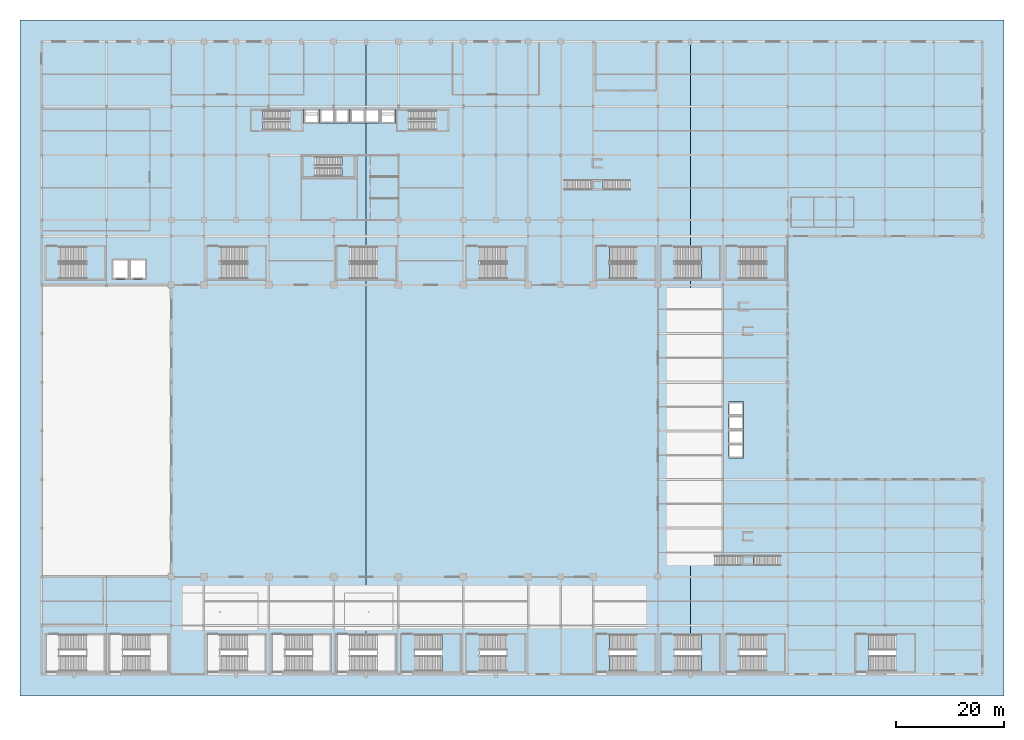
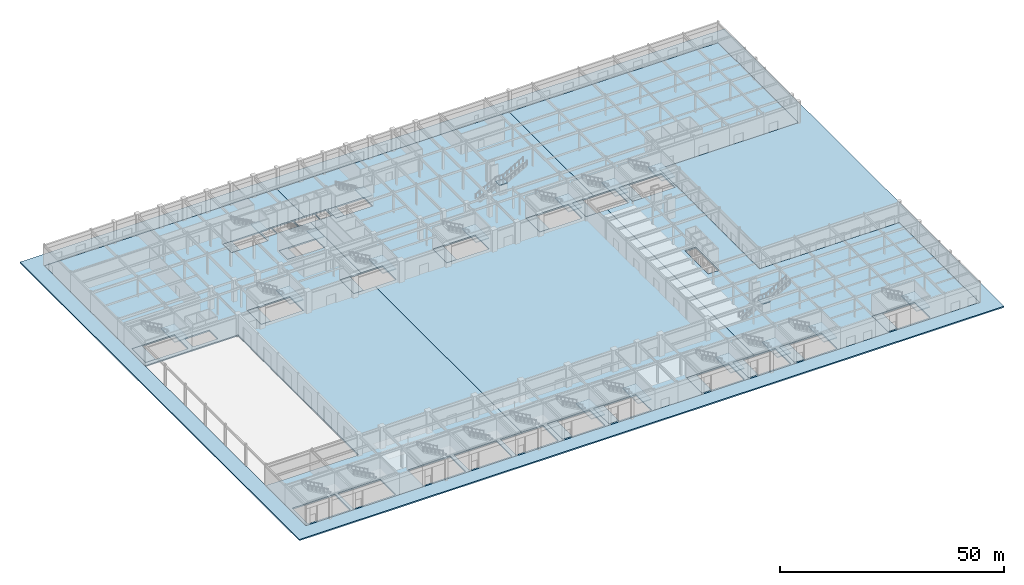
# One storey, part 19 of 44: 38 slabs, 18 elements without a shape of their own.
"""IFC4 building model written with IfcOpenShell, lengths in metres."""

from ifc_helpers import new_model, si_unit, direction, frame, origin, place, context, subcontext, project, spatial, polyline, outline, extrude, material, layer, layer_set, type_object, element, aggregate, save


model = new_model("IFC4")

# Units and contexts
model_context = context("Model", 3, precision=1e-05, world=origin(), true_north=direction((0.0, 1.0)))
body_context = subcontext(model_context, "Body", "Model", "MODEL_VIEW")
ifc_project = project(units=[si_unit("LENGTHUNIT", "METRE"), si_unit("AREAUNIT", "SQUARE_METRE"), si_unit("VOLUMEUNIT", "CUBIC_METRE"), si_unit("PLANEANGLEUNIT", "RADIAN"), si_unit("MASSUNIT", "GRAM", prefix="KILO")], contexts=[model_context])

# Site, building, storey
site_placement = place(None, origin())
site = spatial("IfcSite", under=ifc_project, at=site_placement, CompositionType="ELEMENT")
building_placement = place(site_placement, origin())
building = spatial("IfcBuilding", under=site, at=building_placement, Name="Kaldorvane Square Convention Centre", CompositionType="ELEMENT")
storey_placement = place(building_placement, origin())
storey = spatial("IfcBuildingStorey", under=building, at=storey_placement, Name="L00", CompositionType="ELEMENT", Elevation=0.0)

# Slabs
ifc_material_1 = material(Name="Concrete f'c = 42 MPa (Normalweight)", Category="concrete")
ifc_layer_1 = layer(ifc_material_1, 0.4199981689453125)
ifc_layer_set_1 = layer_set([ifc_layer_1], Name="Concrete f'c = 42 MPa (Normalweight)")
slab_type_1 = type_object("IfcSlabType", Name="SL-APRON-420", PredefinedType="BASESLAB", material=ifc_layer_set_1)
slab_1_placement = place(storey_placement, frame((0.0, 0.0, -0.350006103515625)))
element("IfcSlab", 1, at=slab_1_placement, inside=storey, type_object=slab_type_1, Name="Kaldorvane Square Civic Plaza Threshold Apron", PredefinedType="BASESLAB", context=body_context, shape_type="SweptSolid", body=[
    extrude(outline(polyline([(178.0, -4.0), (174.0, -4.0), (0.0, -4.0), (-4.0, -4.0), (-4.0, 0.0), (-4.0, 117.0), (-4.0, 121.0), (0.0, 121.0), (174.0, 121.0), (178.0, 121.0), (178.0, 117.0), (178.0, 0.0), (178.0, -4.0)]), holes=[polyline([(0.0, 0.0), (174.0, 0.0), (174.0, 36.0), (138.0, 36.0), (138.0, 81.0), (174.0, 81.0), (174.0, 117.0), (0.0, 117.0), (0.0, 0.0)])]), origin(), (0.0, 0.0, 1.0), 0.350006103515625),
])
ifc_layer_2 = layer(ifc_material_1, 0.3800048828125)
ifc_layer_set_2 = layer_set([ifc_layer_2], Name="Concrete f'c = 42 MPa (Normalweight)")
slab_type_2 = type_object("IfcSlabType", Name="SL-EXH-380", PredefinedType="FLOOR", material=ifc_layer_set_2)
slab_2_placement = place(storey_placement, frame((0.0, 0.0, -0.3800048828125)))
element("IfcSlab", 2, at=slab_2_placement, inside=storey, type_object=slab_type_2, Name="Podium Composite Floor Slab L00-1", PredefinedType="FLOOR", context=body_context, shape_type="SweptSolid", body=[
    extrude(outline(polyline([(24.0, 18.0), (24.0, 72.0), (0.0, 72.0), (0.0, 117.0), (60.0, 117.0), (60.0, 104.55000305175781), (59.80000305175781, 104.55000305175781), (57.100006103515625, 104.55000305175781), (57.100006103515625, 101.94999694824219), (59.80000305175781, 101.94999694824219), (60.0, 101.94999694824219), (60.0, 79.17999267578125), (54.52000427246094, 79.17999267578125), (54.52000427246094, 72.97999572753906), (60.0, 72.97999572753906), (60.0, 7.3800048828125), (54.52000427246094, 7.3800048828125), (54.52000427246094, 0.42999267578125), (60.0, 0.42999267578125), (60.0, 0.0), (0.0, 0.0), (0.0, 18.0), (24.0, 18.0)]), holes=[polyline([(11.699996948242188, 0.42999267578125), (11.699996948242188, 7.3800048828125), (0.7400054931640625, 7.3800048828125), (0.7400054931640625, 0.42999267578125), (11.699996948242188, 0.42999267578125)]), polyline([(23.479995727539062, 0.42999267578125), (23.479995727539062, 7.3800048828125), (12.520004272460938, 7.3800048828125), (12.520004272460938, 0.42999267578125), (23.479995727539062, 0.42999267578125)]), polyline([(41.47999572753906, 0.42999267578125), (41.47999572753906, 7.3800048828125), (30.520004272460938, 7.3800048828125), (30.520004272460938, 0.42999267578125), (41.47999572753906, 0.42999267578125)]), polyline([(53.47999572753906, 0.42999267578125), (53.47999572753906, 7.3800048828125), (42.52000427246094, 7.3800048828125), (42.52000427246094, 0.42999267578125), (53.47999572753906, 0.42999267578125)]), polyline([(19.399993896484375, 76.80000305175781), (16.199996948242188, 76.80000305175781), (13.0, 76.80000305175781), (13.0, 73.0), (16.199996948242188, 73.0), (19.399993896484375, 73.0), (19.399993896484375, 76.80000305175781)]), polyline([(11.699996948242188, 72.97999572753906), (11.699996948242188, 79.17999267578125), (0.7400054931640625, 79.17999267578125), (0.7400054931640625, 72.97999572753906), (11.699996948242188, 72.97999572753906)]), polyline([(41.47999572753906, 72.97999572753906), (41.47999572753906, 79.17999267578125), (30.520004272460938, 79.17999267578125), (30.520004272460938, 72.97999572753906), (41.47999572753906, 72.97999572753906)]), polyline([(57.82000732421875, 91.94000244140625), (57.82000732421875, 95.82000732421875), (48.3800048828125, 95.82000732421875), (48.3800048828125, 91.94000244140625), (57.82000732421875, 91.94000244140625)]), polyline([(48.220001220703125, 100.49000549316406), (48.220001220703125, 104.3699951171875), (38.779998779296875, 104.3699951171875), (38.779998779296875, 100.49000549316406), (48.220001220703125, 100.49000549316406)]), polyline([(51.350006103515625, 101.85000610351562), (51.350006103515625, 104.55000305175781), (48.55000305175781, 104.55000305175781), (48.55000305175781, 101.85000610351562), (51.350006103515625, 101.85000610351562)]), polyline([(56.899993896484375, 104.55000305175781), (54.19999694824219, 104.55000305175781), (51.5, 104.55000305175781), (51.5, 101.94999694824219), (54.19999694824219, 101.94999694824219), (56.899993896484375, 101.94999694824219), (56.899993896484375, 104.55000305175781)])]), origin(), (0.0, 0.0, 1.0), 0.3800048828125),
])
slab_3_placement = place(storey_placement, frame((0.0, 0.0, -0.3800048828125)))
element("IfcSlab", 3, at=slab_3_placement, inside=storey, type_object=slab_type_2, Name="Podium Composite Floor Slab L00-2", PredefinedType="FLOOR", context=body_context, shape_type="SweptSolid", body=[
    extrude(outline(polyline([(120.0, 117.0), (120.0, 79.17999267578125), (114.52000427246094, 79.17999267578125), (114.52000427246094, 72.97999572753906), (120.0, 72.97999572753906), (120.0, 7.3800048828125), (114.52000427246094, 7.3800048828125), (114.52000427246094, 0.42999267578125), (120.0, 0.42999267578125), (120.0, 0.0), (60.0, 0.0), (60.0, 0.42999267578125), (65.47999572753906, 0.42999267578125), (65.47999572753906, 7.3800048828125), (60.0, 7.3800048828125), (60.0, 72.97999572753906), (65.47999572753906, 72.97999572753906), (65.47999572753906, 79.17999267578125), (60.0, 79.17999267578125), (60.0, 101.94999694824219), (62.5, 101.94999694824219), (62.5, 104.55000305175781), (60.0, 104.55000305175781), (60.0, 117.0), (120.0, 117.0)]), holes=[polyline([(77.47999572753906, 0.42999267578125), (77.47999572753906, 7.3800048828125), (66.52000427246094, 7.3800048828125), (66.52000427246094, 0.42999267578125), (77.47999572753906, 0.42999267578125)]), polyline([(89.47999572753906, 0.42999267578125), (89.47999572753906, 7.3800048828125), (78.52000427246094, 7.3800048828125), (78.52000427246094, 0.42999267578125), (89.47999572753906, 0.42999267578125)]), polyline([(113.47999572753906, 0.42999267578125), (113.47999572753906, 7.3800048828125), (102.52000427246094, 7.3800048828125), (102.52000427246094, 0.42999267578125), (113.47999572753906, 0.42999267578125)]), polyline([(89.47999572753906, 72.97999572753906), (89.47999572753906, 79.17999267578125), (78.52000427246094, 79.17999267578125), (78.52000427246094, 72.97999572753906), (89.47999572753906, 72.97999572753906)]), polyline([(113.47999572753906, 72.97999572753906), (113.47999572753906, 79.17999267578125), (102.52000427246094, 79.17999267578125), (102.52000427246094, 72.97999572753906), (113.47999572753906, 72.97999572753906)]), polyline([(65.77999877929688, 100.49000549316406), (75.22000122070312, 100.49000549316406), (75.22000122070312, 104.3699951171875), (65.77999877929688, 104.3699951171875), (65.77999877929688, 100.49000549316406)]), polyline([(62.649993896484375, 101.85000610351562), (65.44999694824219, 101.85000610351562), (65.44999694824219, 104.55000305175781), (62.649993896484375, 104.55000305175781), (62.649993896484375, 101.85000610351562)])]), origin(), (0.0, 0.0, 1.0), 0.3800048828125),
])
slab_4_placement = place(storey_placement, frame((0.0, 0.0, -0.3800048828125)))
element("IfcSlab", 4, at=slab_4_placement, inside=storey, type_object=slab_type_2, Name="Podium Composite Floor Slab L00-3", PredefinedType="FLOOR", context=body_context, shape_type="SweptSolid", body=[
    extrude(outline(polyline([(174.0, 117.0), (174.0, 81.0), (138.0, 81.0), (138.0, 36.0), (174.0, 36.0), (174.0, 0.0), (120.0, 0.0), (120.0, 0.42999267578125), (125.47999572753906, 0.42999267578125), (125.47999572753906, 7.3800048828125), (120.0, 7.3800048828125), (120.0, 72.97999572753906), (125.47999572753906, 72.97999572753906), (125.47999572753906, 79.17999267578125), (120.0, 79.17999267578125), (120.0, 117.0), (174.0, 117.0)]), holes=[polyline([(137.47999572753906, 0.42999267578125), (137.47999572753906, 7.3800048828125), (126.52000427246094, 7.3800048828125), (126.52000427246094, 0.42999267578125), (137.47999572753906, 0.42999267578125)]), polyline([(161.47999572753906, 0.42999267578125), (161.47999572753906, 7.3800048828125), (150.52000427246094, 7.3800048828125), (150.52000427246094, 0.42999267578125), (161.47999572753906, 0.42999267578125)]), polyline([(129.8000030517578, 40.0), (129.8000030517578, 42.600006103515625), (129.8000030517578, 45.19999694824219), (129.8000030517578, 47.80000305175781), (129.8000030517578, 50.399993896484375), (127.0, 50.399993896484375), (127.0, 47.80000305175781), (127.0, 45.19999694824219), (127.0, 42.600006103515625), (127.0, 40.0), (129.8000030517578, 40.0)]), polyline([(137.47999572753906, 72.97999572753906), (137.47999572753906, 79.17999267578125), (126.52000427246094, 79.17999267578125), (126.52000427246094, 72.97999572753906), (137.47999572753906, 72.97999572753906)])]), origin(), (0.0, 0.0, 1.0), 0.3800048828125),
])
ifc_layer_3 = layer(ifc_material_1, 0.279998779296875)
ifc_layer_set_3 = layer_set([ifc_layer_3], Name="Concrete f'c = 42 MPa (Normalweight)")
slab_type_3 = type_object("IfcSlabType", Name="SL-FLND-280", PredefinedType="FLOOR", material=ifc_layer_set_3)
slab_5_placement = place(storey_placement, frame((0.0, 0.0, -0.279998779296875)))
element("IfcSlab", 5, at=slab_5_placement, inside=storey, type_object=slab_type_3, Name="Tower Exit Stair T1 Floor Landing (L00)", PredefinedType="FLOOR", context=body_context, shape_type="SweptSolid", body=[
    extrude(outline(polyline([(38.779998779296875, 100.49000549316406), (40.97999572753906, 100.49000549316406), (40.97999572753906, 104.3699951171875), (38.779998779296875, 104.3699951171875), (38.779998779296875, 100.49000549316406)])), origin(), (0.0, 0.0, 1.0), 0.279998779296875),
])
slab_6_placement = place(storey_placement, frame((0.0, 0.0, -0.279998779296875)))
element("IfcSlab", 6, at=slab_6_placement, inside=storey, type_object=slab_type_3, Name="Tower Exit Stair T2 Floor Landing (L00)", PredefinedType="FLOOR", context=body_context, shape_type="SweptSolid", body=[
    extrude(outline(polyline([(65.77999877929688, 100.49000549316406), (67.97999572753906, 100.49000549316406), (67.97999572753906, 104.3699951171875), (65.77999877929688, 104.3699951171875), (65.77999877929688, 100.49000549316406)])), origin(), (0.0, 0.0, 1.0), 0.279998779296875),
])
slab_7_placement = place(storey_placement, frame((0.0, 0.0, -0.279998779296875)))
element("IfcSlab", 7, at=slab_7_placement, inside=storey, type_object=slab_type_3, Name="Tower Exit Stair T3 Floor Landing (L00)", PredefinedType="FLOOR", context=body_context, shape_type="SweptSolid", body=[
    extrude(outline(polyline([(48.3800048828125, 91.94000244140625), (50.58000183105469, 91.94000244140625), (50.58000183105469, 95.82000732421875), (48.3800048828125, 95.82000732421875), (48.3800048828125, 91.94000244140625)])), origin(), (0.0, 0.0, 1.0), 0.279998779296875),
])
slab_8_placement = place(storey_placement, frame((0.0, 0.0, -0.279998779296875)))
element("IfcSlab", 8, at=slab_8_placement, inside=storey, type_object=slab_type_3, Name="Convention Exit Stair C6 Floor Landing (L00)", PredefinedType="FLOOR", context=body_context, shape_type="SweptSolid", body=[
    extrude(outline(polyline([(66.52000427246094, 0.42999267578125), (69.07000732421875, 0.42999267578125), (69.07000732421875, 7.3800048828125), (66.52000427246094, 7.3800048828125), (66.52000427246094, 0.42999267578125)])), origin(), (0.0, 0.0, 1.0), 0.279998779296875),
])
slab_9_placement = place(storey_placement, frame((0.0, 0.0, -0.279998779296875)))
element("IfcSlab", 9, at=slab_9_placement, inside=storey, type_object=slab_type_3, Name="Convention Exit Stair C7 Floor Landing (L00)", PredefinedType="FLOOR", context=body_context, shape_type="SweptSolid", body=[
    extrude(outline(polyline([(78.52000427246094, 0.42999267578125), (81.07000732421875, 0.42999267578125), (81.07000732421875, 7.3800048828125), (78.52000427246094, 7.3800048828125), (78.52000427246094, 0.42999267578125)])), origin(), (0.0, 0.0, 1.0), 0.279998779296875),
])
slab_10_placement = place(storey_placement, frame((0.0, 0.0, -0.279998779296875)))
element("IfcSlab", 10, at=slab_10_placement, inside=storey, type_object=slab_type_3, Name="Convention Exit Stair C8 Floor Landing (L00)", PredefinedType="FLOOR", context=body_context, shape_type="SweptSolid", body=[
    extrude(outline(polyline([(102.52000427246094, 0.42999267578125), (105.07000732421875, 0.42999267578125), (105.07000732421875, 7.3800048828125), (102.52000427246094, 7.3800048828125), (102.52000427246094, 0.42999267578125)])), origin(), (0.0, 0.0, 1.0), 0.279998779296875),
])
slab_11_placement = place(storey_placement, frame((0.0, 0.0, -0.279998779296875)))
element("IfcSlab", 11, at=slab_11_placement, inside=storey, type_object=slab_type_3, Name="Convention Exit Stair C9 Floor Landing (L00)", PredefinedType="FLOOR", context=body_context, shape_type="SweptSolid", body=[
    extrude(outline(polyline([(114.52000427246094, 0.42999267578125), (117.07000732421875, 0.42999267578125), (117.07000732421875, 7.3800048828125), (114.52000427246094, 7.3800048828125), (114.52000427246094, 0.42999267578125)])), origin(), (0.0, 0.0, 1.0), 0.279998779296875),
])
slab_12_placement = place(storey_placement, frame((0.0, 0.0, -0.279998779296875)))
element("IfcSlab", 12, at=slab_12_placement, inside=storey, type_object=slab_type_3, Name="Convention Exit Stair C10 Floor Landing (L00)", PredefinedType="FLOOR", context=body_context, shape_type="SweptSolid", body=[
    extrude(outline(polyline([(126.52000427246094, 0.42999267578125), (129.07000732421875, 0.42999267578125), (129.07000732421875, 7.3800048828125), (126.52000427246094, 7.3800048828125), (126.52000427246094, 0.42999267578125)])), origin(), (0.0, 0.0, 1.0), 0.279998779296875),
])
slab_13_placement = place(storey_placement, frame((0.0, 0.0, -0.279998779296875)))
element("IfcSlab", 13, at=slab_13_placement, inside=storey, type_object=slab_type_3, Name="Convention Exit Stair C11 Floor Landing (L00)", PredefinedType="FLOOR", context=body_context, shape_type="SweptSolid", body=[
    extrude(outline(polyline([(150.52000427246094, 0.42999267578125), (153.07000732421875, 0.42999267578125), (153.07000732421875, 7.3800048828125), (150.52000427246094, 7.3800048828125), (150.52000427246094, 0.42999267578125)])), origin(), (0.0, 0.0, 1.0), 0.279998779296875),
])
slab_14_placement = place(storey_placement, frame((0.0, 0.0, -0.279998779296875)))
element("IfcSlab", 14, at=slab_14_placement, inside=storey, type_object=slab_type_3, Name="Convention Exit Stair C12 Floor Landing (L00)", PredefinedType="FLOOR", context=body_context, shape_type="SweptSolid", body=[
    extrude(outline(polyline([(0.7400054931640625, 72.97999572753906), (3.2899932861328125, 72.97999572753906), (3.2899932861328125, 79.17999267578125), (0.7400054931640625, 79.17999267578125), (0.7400054931640625, 72.97999572753906)])), origin(), (0.0, 0.0, 1.0), 0.279998779296875),
])
slab_15_placement = place(storey_placement, frame((0.0, 0.0, -0.279998779296875)))
element("IfcSlab", 15, at=slab_15_placement, inside=storey, type_object=slab_type_3, Name="Convention Exit Stair C13 Floor Landing (L00)", PredefinedType="FLOOR", context=body_context, shape_type="SweptSolid", body=[
    extrude(outline(polyline([(30.520004272460938, 72.97999572753906), (33.07000732421875, 72.97999572753906), (33.07000732421875, 79.17999267578125), (30.520004272460938, 79.17999267578125), (30.520004272460938, 72.97999572753906)])), origin(), (0.0, 0.0, 1.0), 0.279998779296875),
])
slab_16_placement = place(storey_placement, frame((0.0, 0.0, -0.279998779296875)))
element("IfcSlab", 16, at=slab_16_placement, inside=storey, type_object=slab_type_3, Name="Convention Exit Stair C14 Floor Landing (L00)", PredefinedType="FLOOR", context=body_context, shape_type="SweptSolid", body=[
    extrude(outline(polyline([(54.52000427246094, 72.97999572753906), (57.07000732421875, 72.97999572753906), (57.07000732421875, 79.17999267578125), (54.52000427246094, 79.17999267578125), (54.52000427246094, 72.97999572753906)])), origin(), (0.0, 0.0, 1.0), 0.279998779296875),
])
slab_17_placement = place(storey_placement, frame((0.0, 0.0, -0.279998779296875)))
element("IfcSlab", 17, at=slab_17_placement, inside=storey, type_object=slab_type_3, Name="Convention Exit Stair C15 Floor Landing (L00)", PredefinedType="FLOOR", context=body_context, shape_type="SweptSolid", body=[
    extrude(outline(polyline([(78.52000427246094, 72.97999572753906), (81.07000732421875, 72.97999572753906), (81.07000732421875, 79.17999267578125), (78.52000427246094, 79.17999267578125), (78.52000427246094, 72.97999572753906)])), origin(), (0.0, 0.0, 1.0), 0.279998779296875),
])
slab_18_placement = place(storey_placement, frame((0.0, 0.0, -0.279998779296875)))
element("IfcSlab", 18, at=slab_18_placement, inside=storey, type_object=slab_type_3, Name="Convention Exit Stair C16 Floor Landing (L00)", PredefinedType="FLOOR", context=body_context, shape_type="SweptSolid", body=[
    extrude(outline(polyline([(102.52000427246094, 72.97999572753906), (105.07000732421875, 72.97999572753906), (105.07000732421875, 79.17999267578125), (102.52000427246094, 79.17999267578125), (102.52000427246094, 72.97999572753906)])), origin(), (0.0, 0.0, 1.0), 0.279998779296875),
])
slab_19_placement = place(storey_placement, frame((0.0, 0.0, -0.279998779296875)))
element("IfcSlab", 19, at=slab_19_placement, inside=storey, type_object=slab_type_3, Name="Convention Exit Stair C17 Floor Landing (L00)", PredefinedType="FLOOR", context=body_context, shape_type="SweptSolid", body=[
    extrude(outline(polyline([(114.52000427246094, 72.97999572753906), (117.07000732421875, 72.97999572753906), (117.07000732421875, 79.17999267578125), (114.52000427246094, 79.17999267578125), (114.52000427246094, 72.97999572753906)])), origin(), (0.0, 0.0, 1.0), 0.279998779296875),
])
slab_20_placement = place(storey_placement, frame((0.0, 0.0, -0.279998779296875)))
element("IfcSlab", 20, at=slab_20_placement, inside=storey, type_object=slab_type_3, Name="Convention Exit Stair C18 Floor Landing (L00)", PredefinedType="FLOOR", context=body_context, shape_type="SweptSolid", body=[
    extrude(outline(polyline([(126.52000427246094, 72.97999572753906), (129.07000732421875, 72.97999572753906), (129.07000732421875, 79.17999267578125), (126.52000427246094, 79.17999267578125), (126.52000427246094, 72.97999572753906)])), origin(), (0.0, 0.0, 1.0), 0.279998779296875),
])

# Stair, slab
stair_type_1 = type_object("IfcStairType", Name="ST-DL-1600-6000", PredefinedType="HALF_TURN_STAIR", material=ifc_material_1)
stair_1_placement = place(storey_placement, origin())
stair_1 = element("IfcStair", 21, at=stair_1_placement, inside=storey, type_object=stair_type_1, Name="Tower Exit Stair T1 (L00)", PredefinedType="HALF_TURN_STAIR")
ifc_layer_4 = layer(ifc_material_1, 0.2400054931640625)
ifc_layer_set_4 = layer_set([ifc_layer_4], Name="Concrete f'c = 42 MPa (Normalweight)")
slab_type_4 = type_object("IfcSlabType", Name="SL-LAND-240", PredefinedType="LANDING", material=ifc_layer_set_4)
slab_21_placement = place(storey_placement, frame((0.0, 0.0, 2.7599945068359375)))
slab_21 = element("IfcSlab", 22, at=slab_21_placement, type_object=slab_type_4, Name="Tower Exit Stair T1 Half Landing (L00)", PredefinedType="LANDING", context=body_context, shape_type="SweptSolid", body=[
    extrude(outline(polyline([(45.91999816894531, 100.49000549316406), (48.220001220703125, 100.49000549316406), (48.220001220703125, 104.3699951171875), (45.91999816894531, 104.3699951171875), (45.91999816894531, 100.49000549316406)])), origin(), (0.0, 0.0, 1.0), 0.2400054931640625),
])
aggregate(stair_1, [slab_21])

stair_2_placement = place(storey_placement, origin())
stair_2 = element("IfcStair", 23, at=stair_2_placement, inside=storey, type_object=stair_type_1, Name="Tower Exit Stair T2 (L00)", PredefinedType="HALF_TURN_STAIR")
slab_22_placement = place(storey_placement, frame((0.0, 0.0, 2.7599945068359375)))
slab_22 = element("IfcSlab", 24, at=slab_22_placement, type_object=slab_type_4, Name="Tower Exit Stair T2 Half Landing (L00)", PredefinedType="LANDING", context=body_context, shape_type="SweptSolid", body=[
    extrude(outline(polyline([(72.91999816894531, 100.49000549316406), (75.22000122070312, 100.49000549316406), (75.22000122070312, 104.3699951171875), (72.91999816894531, 104.3699951171875), (72.91999816894531, 100.49000549316406)])), origin(), (0.0, 0.0, 1.0), 0.2400054931640625),
])
aggregate(stair_2, [slab_22])

stair_3_placement = place(storey_placement, origin())
stair_3 = element("IfcStair", 25, at=stair_3_placement, inside=storey, type_object=stair_type_1, Name="Tower Exit Stair T3 (L00)", PredefinedType="HALF_TURN_STAIR")
slab_23_placement = place(storey_placement, frame((0.0, 0.0, 2.7599945068359375)))
slab_23 = element("IfcSlab", 26, at=slab_23_placement, type_object=slab_type_4, Name="Tower Exit Stair T3 Half Landing (L00)", PredefinedType="LANDING", context=body_context, shape_type="SweptSolid", body=[
    extrude(outline(polyline([(55.52000427246094, 91.94000244140625), (57.82000732421875, 91.94000244140625), (57.82000732421875, 95.82000732421875), (55.52000427246094, 95.82000732421875), (55.52000427246094, 91.94000244140625)])), origin(), (0.0, 0.0, 1.0), 0.2400054931640625),
])
aggregate(stair_3, [slab_23])

stair_type_2 = type_object("IfcStairType", Name="ST-DL-2800-6000-D6710", PredefinedType="HALF_TURN_STAIR", material=ifc_material_1)
stair_4_placement = place(storey_placement, origin())
stair_4 = element("IfcStair", 27, at=stair_4_placement, inside=storey, type_object=stair_type_2, Name="Convention Exit Stair C6 (L00)", PredefinedType="HALF_TURN_STAIR")
slab_24_placement = place(storey_placement, frame((0.0, 0.0, 2.7599945068359375)))
slab_24 = element("IfcSlab", 28, at=slab_24_placement, type_object=slab_type_4, Name="Convention Exit Stair C6 Half Landing (L00)", PredefinedType="LANDING", context=body_context, shape_type="SweptSolid", body=[
    extrude(outline(polyline([(74.00999450683594, 0.42999267578125), (77.47999572753906, 0.42999267578125), (77.47999572753906, 7.3800048828125), (74.00999450683594, 7.3800048828125), (74.00999450683594, 0.42999267578125)])), origin(), (0.0, 0.0, 1.0), 0.2400054931640625),
])
aggregate(stair_4, [slab_24])

stair_5_placement = place(storey_placement, origin())
stair_5 = element("IfcStair", 29, at=stair_5_placement, inside=storey, type_object=stair_type_2, Name="Convention Exit Stair C7 (L00)", PredefinedType="HALF_TURN_STAIR")
slab_25_placement = place(storey_placement, frame((0.0, 0.0, 2.7599945068359375)))
slab_25 = element("IfcSlab", 30, at=slab_25_placement, type_object=slab_type_4, Name="Convention Exit Stair C7 Half Landing (L00)", PredefinedType="LANDING", context=body_context, shape_type="SweptSolid", body=[
    extrude(outline(polyline([(86.00999450683594, 0.42999267578125), (89.47999572753906, 0.42999267578125), (89.47999572753906, 7.3800048828125), (86.00999450683594, 7.3800048828125), (86.00999450683594, 0.42999267578125)])), origin(), (0.0, 0.0, 1.0), 0.2400054931640625),
])
aggregate(stair_5, [slab_25])

stair_6_placement = place(storey_placement, origin())
stair_6 = element("IfcStair", 31, at=stair_6_placement, inside=storey, type_object=stair_type_2, Name="Convention Exit Stair C8 (L00)", PredefinedType="HALF_TURN_STAIR")
slab_26_placement = place(storey_placement, frame((0.0, 0.0, 2.7599945068359375)))
slab_26 = element("IfcSlab", 32, at=slab_26_placement, type_object=slab_type_4, Name="Convention Exit Stair C8 Half Landing (L00)", PredefinedType="LANDING", context=body_context, shape_type="SweptSolid", body=[
    extrude(outline(polyline([(110.00999450683594, 0.42999267578125), (113.47999572753906, 0.42999267578125), (113.47999572753906, 7.3800048828125), (110.00999450683594, 7.3800048828125), (110.00999450683594, 0.42999267578125)])), origin(), (0.0, 0.0, 1.0), 0.2400054931640625),
])
aggregate(stair_6, [slab_26])

stair_7_placement = place(storey_placement, origin())
stair_7 = element("IfcStair", 33, at=stair_7_placement, inside=storey, type_object=stair_type_2, Name="Convention Exit Stair C9 (L00)", PredefinedType="HALF_TURN_STAIR")
slab_27_placement = place(storey_placement, frame((0.0, 0.0, 2.7599945068359375)))
slab_27 = element("IfcSlab", 34, at=slab_27_placement, type_object=slab_type_4, Name="Convention Exit Stair C9 Half Landing (L00)", PredefinedType="LANDING", context=body_context, shape_type="SweptSolid", body=[
    extrude(outline(polyline([(122.00999450683594, 0.42999267578125), (125.47999572753906, 0.42999267578125), (125.47999572753906, 7.3800048828125), (122.00999450683594, 7.3800048828125), (122.00999450683594, 0.42999267578125)])), origin(), (0.0, 0.0, 1.0), 0.2400054931640625),
])
aggregate(stair_7, [slab_27])

stair_8_placement = place(storey_placement, origin())
stair_8 = element("IfcStair", 35, at=stair_8_placement, inside=storey, type_object=stair_type_2, Name="Convention Exit Stair C10 (L00)", PredefinedType="HALF_TURN_STAIR")
slab_28_placement = place(storey_placement, frame((0.0, 0.0, 2.7599945068359375)))
slab_28 = element("IfcSlab", 36, at=slab_28_placement, type_object=slab_type_4, Name="Convention Exit Stair C10 Half Landing (L00)", PredefinedType="LANDING", context=body_context, shape_type="SweptSolid", body=[
    extrude(outline(polyline([(134.00999450683594, 0.42999267578125), (137.47999572753906, 0.42999267578125), (137.47999572753906, 7.3800048828125), (134.00999450683594, 7.3800048828125), (134.00999450683594, 0.42999267578125)])), origin(), (0.0, 0.0, 1.0), 0.2400054931640625),
])
aggregate(stair_8, [slab_28])

stair_9_placement = place(storey_placement, origin())
stair_9 = element("IfcStair", 37, at=stair_9_placement, inside=storey, type_object=stair_type_2, Name="Convention Exit Stair C11 (L00)", PredefinedType="HALF_TURN_STAIR")
slab_29_placement = place(storey_placement, frame((0.0, 0.0, 2.7599945068359375)))
slab_29 = element("IfcSlab", 38, at=slab_29_placement, type_object=slab_type_4, Name="Convention Exit Stair C11 Half Landing (L00)", PredefinedType="LANDING", context=body_context, shape_type="SweptSolid", body=[
    extrude(outline(polyline([(158.00999450683594, 0.42999267578125), (161.47999572753906, 0.42999267578125), (161.47999572753906, 7.3800048828125), (158.00999450683594, 7.3800048828125), (158.00999450683594, 0.42999267578125)])), origin(), (0.0, 0.0, 1.0), 0.2400054931640625),
])
aggregate(stair_9, [slab_29])

stair_type_3 = type_object("IfcStairType", Name="ST-DL-2800-6000", PredefinedType="HALF_TURN_STAIR", material=ifc_material_1)
stair_10_placement = place(storey_placement, origin())
stair_10 = element("IfcStair", 39, at=stair_10_placement, inside=storey, type_object=stair_type_3, Name="Convention Exit Stair C12 (L00)", PredefinedType="HALF_TURN_STAIR")
slab_30_placement = place(storey_placement, frame((0.0, 0.0, 2.7599945068359375)))
slab_30 = element("IfcSlab", 40, at=slab_30_placement, type_object=slab_type_4, Name="Convention Exit Stair C12 Half Landing (L00)", PredefinedType="LANDING", context=body_context, shape_type="SweptSolid", body=[
    extrude(outline(polyline([(8.229995727539062, 72.97999572753906), (11.699996948242188, 72.97999572753906), (11.699996948242188, 79.17999267578125), (8.229995727539062, 79.17999267578125), (8.229995727539062, 72.97999572753906)])), origin(), (0.0, 0.0, 1.0), 0.2400054931640625),
])
aggregate(stair_10, [slab_30])

stair_11_placement = place(storey_placement, origin())
stair_11 = element("IfcStair", 41, at=stair_11_placement, inside=storey, type_object=stair_type_3, Name="Convention Exit Stair C13 (L00)", PredefinedType="HALF_TURN_STAIR")
slab_31_placement = place(storey_placement, frame((0.0, 0.0, 2.7599945068359375)))
slab_31 = element("IfcSlab", 42, at=slab_31_placement, type_object=slab_type_4, Name="Convention Exit Stair C13 Half Landing (L00)", PredefinedType="LANDING", context=body_context, shape_type="SweptSolid", body=[
    extrude(outline(polyline([(38.00999450683594, 72.97999572753906), (41.47999572753906, 72.97999572753906), (41.47999572753906, 79.17999267578125), (38.00999450683594, 79.17999267578125), (38.00999450683594, 72.97999572753906)])), origin(), (0.0, 0.0, 1.0), 0.2400054931640625),
])
aggregate(stair_11, [slab_31])

stair_12_placement = place(storey_placement, origin())
stair_12 = element("IfcStair", 43, at=stair_12_placement, inside=storey, type_object=stair_type_3, Name="Convention Exit Stair C14 (L00)", PredefinedType="HALF_TURN_STAIR")
slab_32_placement = place(storey_placement, frame((0.0, 0.0, 2.7599945068359375)))
slab_32 = element("IfcSlab", 44, at=slab_32_placement, type_object=slab_type_4, Name="Convention Exit Stair C14 Half Landing (L00)", PredefinedType="LANDING", context=body_context, shape_type="SweptSolid", body=[
    extrude(outline(polyline([(62.00999450683594, 72.97999572753906), (65.47999572753906, 72.97999572753906), (65.47999572753906, 79.17999267578125), (62.00999450683594, 79.17999267578125), (62.00999450683594, 72.97999572753906)])), origin(), (0.0, 0.0, 1.0), 0.2400054931640625),
])
aggregate(stair_12, [slab_32])

stair_13_placement = place(storey_placement, origin())
stair_13 = element("IfcStair", 45, at=stair_13_placement, inside=storey, type_object=stair_type_3, Name="Convention Exit Stair C15 (L00)", PredefinedType="HALF_TURN_STAIR")
slab_33_placement = place(storey_placement, frame((0.0, 0.0, 2.7599945068359375)))
slab_33 = element("IfcSlab", 46, at=slab_33_placement, type_object=slab_type_4, Name="Convention Exit Stair C15 Half Landing (L00)", PredefinedType="LANDING", context=body_context, shape_type="SweptSolid", body=[
    extrude(outline(polyline([(86.00999450683594, 72.97999572753906), (89.47999572753906, 72.97999572753906), (89.47999572753906, 79.17999267578125), (86.00999450683594, 79.17999267578125), (86.00999450683594, 72.97999572753906)])), origin(), (0.0, 0.0, 1.0), 0.2400054931640625),
])
aggregate(stair_13, [slab_33])

stair_14_placement = place(storey_placement, origin())
stair_14 = element("IfcStair", 47, at=stair_14_placement, inside=storey, type_object=stair_type_3, Name="Convention Exit Stair C16 (L00)", PredefinedType="HALF_TURN_STAIR")
slab_34_placement = place(storey_placement, frame((0.0, 0.0, 2.7599945068359375)))
slab_34 = element("IfcSlab", 48, at=slab_34_placement, type_object=slab_type_4, Name="Convention Exit Stair C16 Half Landing (L00)", PredefinedType="LANDING", context=body_context, shape_type="SweptSolid", body=[
    extrude(outline(polyline([(110.00999450683594, 72.97999572753906), (113.47999572753906, 72.97999572753906), (113.47999572753906, 79.17999267578125), (110.00999450683594, 79.17999267578125), (110.00999450683594, 72.97999572753906)])), origin(), (0.0, 0.0, 1.0), 0.2400054931640625),
])
aggregate(stair_14, [slab_34])

stair_15_placement = place(storey_placement, origin())
stair_15 = element("IfcStair", 49, at=stair_15_placement, inside=storey, type_object=stair_type_3, Name="Convention Exit Stair C17 (L00)", PredefinedType="HALF_TURN_STAIR")
slab_35_placement = place(storey_placement, frame((0.0, 0.0, 2.7599945068359375)))
slab_35 = element("IfcSlab", 50, at=slab_35_placement, type_object=slab_type_4, Name="Convention Exit Stair C17 Half Landing (L00)", PredefinedType="LANDING", context=body_context, shape_type="SweptSolid", body=[
    extrude(outline(polyline([(122.00999450683594, 72.97999572753906), (125.47999572753906, 72.97999572753906), (125.47999572753906, 79.17999267578125), (122.00999450683594, 79.17999267578125), (122.00999450683594, 72.97999572753906)])), origin(), (0.0, 0.0, 1.0), 0.2400054931640625),
])
aggregate(stair_15, [slab_35])

stair_16_placement = place(storey_placement, origin())
stair_16 = element("IfcStair", 51, at=stair_16_placement, inside=storey, type_object=stair_type_3, Name="Convention Exit Stair C18 (L00)", PredefinedType="HALF_TURN_STAIR")
slab_36_placement = place(storey_placement, frame((0.0, 0.0, 2.7599945068359375)))
slab_36 = element("IfcSlab", 52, at=slab_36_placement, type_object=slab_type_4, Name="Convention Exit Stair C18 Half Landing (L00)", PredefinedType="LANDING", context=body_context, shape_type="SweptSolid", body=[
    extrude(outline(polyline([(134.00999450683594, 72.97999572753906), (137.47999572753906, 72.97999572753906), (137.47999572753906, 79.17999267578125), (134.00999450683594, 79.17999267578125), (134.00999450683594, 72.97999572753906)])), origin(), (0.0, 0.0, 1.0), 0.2400054931640625),
])
aggregate(stair_16, [slab_36])

ifc_material_2 = material(Name="Steel ASTM A500 Gr. C", Category="steel")
stair_type_4 = type_object("IfcStairType", Name="ST-STR-1800-6000", PredefinedType="STRAIGHT_RUN_STAIR", material=ifc_material_2)
stair_17_placement = place(storey_placement, origin())
stair_17 = element("IfcStair", 53, at=stair_17_placement, inside=storey, type_object=stair_type_4, Name="East Foyer Grand Stair F1 (L00)", PredefinedType="STRAIGHT_RUN_STAIR")
slab_37_placement = place(storey_placement, frame((0.0, 0.0, 2.7599945068359375)))
slab_37 = element("IfcSlab", 54, at=slab_37_placement, type_object=slab_type_4, Name="East Foyer Grand Stair F1 Mid Landing (L00)", PredefinedType="LANDING", context=body_context, shape_type="SweptSolid", body=[
    extrude(outline(polyline([(129.5, 20.100006103515625), (131.66000366210938, 20.100006103515625), (131.66000366210938, 21.899993896484375), (129.5, 21.899993896484375), (129.5, 20.100006103515625)])), origin(), (0.0, 0.0, 1.0), 0.2400054931640625),
])
aggregate(stair_17, [slab_37])

stair_18_placement = place(storey_placement, origin())
stair_18 = element("IfcStair", 55, at=stair_18_placement, inside=storey, type_object=stair_type_4, Name="Hotel Atrium Grand Stair F5 (L00)", PredefinedType="STRAIGHT_RUN_STAIR")
slab_38_placement = place(storey_placement, frame((0.0, 0.0, 2.7599945068359375)))
slab_38 = element("IfcSlab", 56, at=slab_38_placement, type_object=slab_type_4, Name="Hotel Atrium Grand Stair F5 Mid Landing (L00)", PredefinedType="LANDING", context=body_context, shape_type="SweptSolid", body=[
    extrude(outline(polyline([(101.69999694824219, 89.60000610351562), (103.86000061035156, 89.60000610351562), (103.86000061035156, 91.39999389648438), (101.69999694824219, 91.39999389648438), (101.69999694824219, 89.60000610351562)])), origin(), (0.0, 0.0, 1.0), 0.2400054931640625),
])
aggregate(stair_18, [slab_38])

save(model, "model.ifc")
